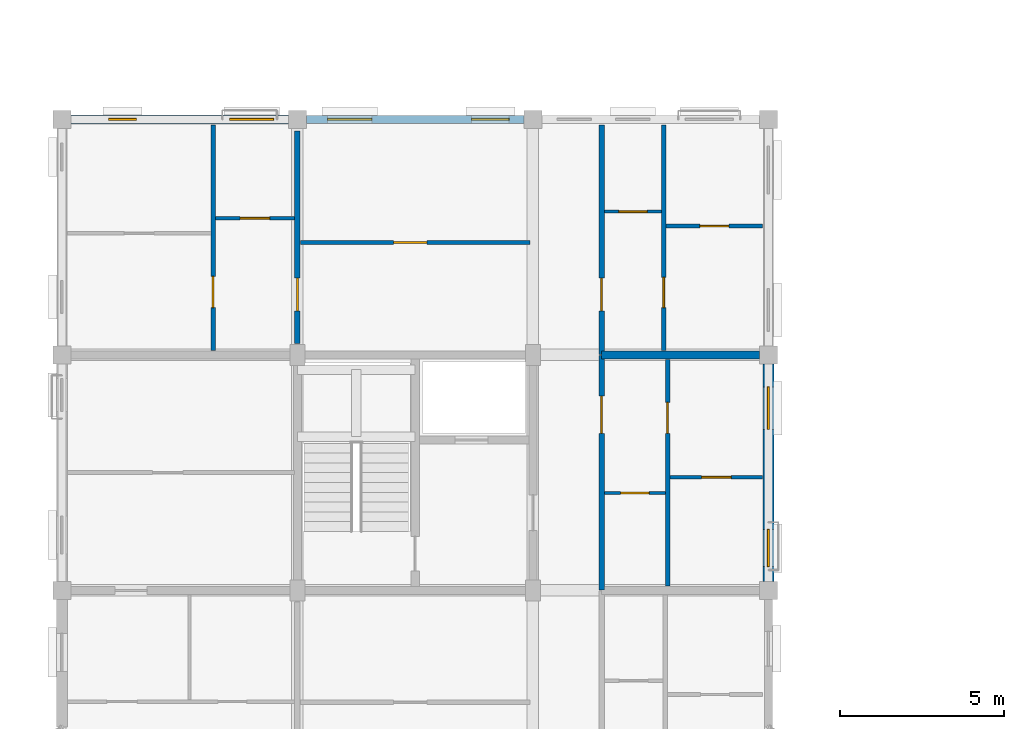
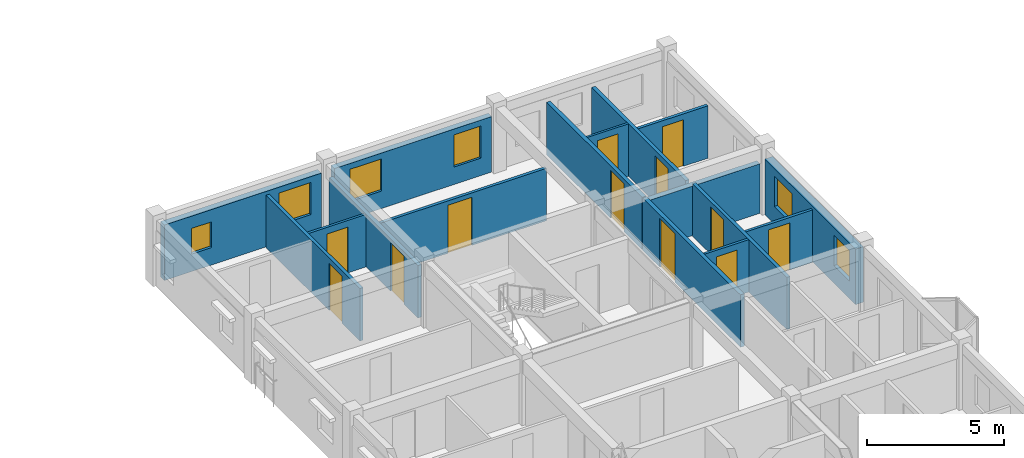
# One storey, part 58 of 79: 16 walls, 12 doors, 6 windows, 18 openings.
"""IFC4 building model written with IfcOpenShell, lengths in metres."""

from ifc_helpers import new_model, si_unit, direction, frame, frame_2d, origin, place, context, subcontext, project, spatial, rectangle, extrude, material, layer, layer_set, type_object, element, fill, save


model = new_model("IFC4")

# Units and contexts
model_context = context("Model", 3, precision=1e-05, world=origin(), true_north=direction((0.0, 1.0)))
body_context = subcontext(model_context, "Body", "Model", "MODEL_VIEW")
ifc_project = project(units=[si_unit("LENGTHUNIT", "METRE"), si_unit("AREAUNIT", "SQUARE_METRE"), si_unit("VOLUMEUNIT", "CUBIC_METRE"), si_unit("PLANEANGLEUNIT", "RADIAN"), si_unit("MASSUNIT", "GRAM", prefix="KILO"), si_unit("THERMODYNAMICTEMPERATUREUNIT", "KELVIN"), si_unit("POWERUNIT", "WATT")], contexts=[model_context])

# Site, building, storey
site_placement = place(None, origin())
site = spatial("IfcSite", under=ifc_project, at=site_placement, CompositionType="ELEMENT")
building_placement = place(site_placement, origin())
building = spatial("IfcBuilding", under=site, at=building_placement, Name="Tavuni Mirador Residences", CompositionType="ELEMENT")
storey_placement = place(building_placement, frame((0.0, 0.0, 13.949951171875)))
storey = spatial("IfcBuildingStorey", under=building, at=storey_placement, Name="L04", CompositionType="ELEMENT", Elevation=13.949951171875)

# Wall, opening, door
ifc_material_1 = material(Name="Precast concrete C40/50", Category="concrete")
ifc_layer_1 = layer(ifc_material_1, 0.1650390625, Name="Precast concrete C40/50", Category="concrete")
ifc_layer_set_1 = layer_set([ifc_layer_1], Name="Precast concrete C40/50")
wall_type_1 = type_object("IfcWallType", Name="WT-CORR165", PredefinedType="PARTITIONING", material=ifc_layer_set_1)
wall_1_placement = place(storey_placement, frame((20.10009765625, 86.419921875, 0.0), z_axis=(0.0, 0.0, 1.0), x_axis=(0.0, 1.0, 0.0)))
wall_1 = element("IfcWall", 1, at=wall_1_placement, inside=storey, type_object=wall_type_1, Name="CORW-BLK-B-L04-0-03", PredefinedType="PARTITIONING", context=body_context, shape_type="SweptSolid", body=[
    extrude(rectangle(XDim=7.16015625, YDim=0.1650390625, at=frame_2d((3.580078125, 0.0))), origin(), (0.0, 0.0, 1.0), 2.344970703125),
])
opening_1_placement = place(wall_1_placement, frame((4.780029296875, 0.0, 0.0)))
opening_1 = element("IfcOpeningElement", 2, at=opening_1_placement, cuts=wall_1, Name="Opening D-20", PredefinedType="OPENING", context=body_context, shape_type="SweptSolid", body=[
    extrude(rectangle(XDim=1.139892578125, YDim=2.179931640625, at=frame_2d((0.56982421875, 1.08984375))), frame((0.0, 0.092529296875, 0.0), z_axis=(0.0, -1.0, 0.0), x_axis=(1.0, 0.0, 0.0)), (0.0, 0.0, 1.0), 0.18505859375),
])
ifc_material_2 = material(Name="Solid core iroko timber", Category="wood")
door_type_1 = type_object("IfcDoorType", Name="DT-FD60-1140", OperationType="NOTDEFINED", PredefinedType="DOOR", material=ifc_material_2)
door_1_placement = place(opening_1_placement, origin())
door_1 = element("IfcDoor", 3, at=door_1_placement, inside=storey, type_object=door_type_1, Name="DR-2564", OperationType="SINGLE_SWING_LEFT", OverallHeight=2.179931640625, OverallWidth=1.139892578125, PredefinedType="DOOR", context=body_context, shape_type="SweptSolid", body=[
    extrude(rectangle(XDim=1.139892578125, YDim=2.179931640625, at=frame_2d((0.56982421875, 1.08984375))), frame((0.0, 0.02490234375, 0.0), z_axis=(0.0, -1.0, 0.0), x_axis=(1.0, 0.0, 0.0)), (0.0, 0.0, 1.0), 0.050048828125),
])
fill(opening_1, door_1)

wall_2_placement = place(storey_placement, frame((20.10009765625, 93.6201171875, 0.0), z_axis=(0.0, 0.0, 1.0), x_axis=(0.0, 1.0, 0.0)))
wall_2 = element("IfcWall", 4, at=wall_2_placement, inside=storey, type_object=wall_type_1, Name="CORW-BLK-B-L04-0-04", PredefinedType="PARTITIONING", context=body_context, shape_type="SweptSolid", body=[
    extrude(rectangle(XDim=7.0048828125, YDim=0.1650390625, at=frame_2d((3.50244140625, 0.0))), origin(), (0.0, 0.0, 1.0), 2.344970703125),
])
opening_2_placement = place(wall_2_placement, frame((1.330078125, 0.0, 0.0)))
opening_2 = element("IfcOpeningElement", 5, at=opening_2_placement, cuts=wall_2, Name="Opening D-03", PredefinedType="OPENING", context=body_context, shape_type="SweptSolid", body=[
    extrude(rectangle(XDim=1.0, YDim=2.14990234375, at=frame_2d((0.5, 1.074951171875))), frame((0.0, 0.092529296875, 0.0), z_axis=(0.0, -1.0, 0.0), x_axis=(1.0, 0.0, 0.0)), (0.0, 0.0, 1.0), 0.18505859375),
])
door_type_2 = type_object("IfcDoorType", Name="DT-FD60-1000", OperationType="NOTDEFINED", PredefinedType="DOOR", material=ifc_material_2)
door_2_placement = place(opening_2_placement, origin())
door_2 = element("IfcDoor", 6, at=door_2_placement, inside=storey, type_object=door_type_2, Name="DR-2565", OperationType="SINGLE_SWING_RIGHT", OverallHeight=2.14990234375, OverallWidth=1.0, PredefinedType="DOOR", context=body_context, shape_type="SweptSolid", body=[
    extrude(rectangle(XDim=1.0, YDim=2.14990234375, at=frame_2d((0.5, 1.074951171875))), frame((0.0, 0.02490234375, 0.0), z_axis=(0.0, -1.0, 0.0), x_axis=(1.0, 0.0, 0.0)), (0.0, 0.0, 1.0), 0.050048828125),
])
fill(opening_2, door_2)

wall_3_placement = place(storey_placement, frame((10.800048828125, 93.949951171875, 0.0), z_axis=(0.0, 0.0, 1.0), x_axis=(0.0, 1.0, 0.0)))
wall_3 = element("IfcWall", 7, at=wall_3_placement, inside=storey, type_object=wall_type_1, Name="CORW-BLK-B-L04-1-04", PredefinedType="PARTITIONING", context=body_context, shape_type="SweptSolid", body=[
    extrude(rectangle(XDim=6.5, YDim=0.1650390625, at=frame_2d((3.25, 0.0))), origin(), (0.0, 0.0, 1.0), 2.344970703125),
])
opening_3_placement = place(wall_3_placement, frame((1.0, 0.0, 0.0)))
opening_3 = element("IfcOpeningElement", 8, at=opening_3_placement, cuts=wall_3, Name="Opening D-03", PredefinedType="OPENING", context=body_context, shape_type="SweptSolid", body=[
    extrude(rectangle(XDim=1.0, YDim=2.14990234375, at=frame_2d((0.5, 1.074951171875))), frame((0.0, 0.092529296875, 0.0), z_axis=(0.0, -1.0, 0.0), x_axis=(1.0, 0.0, 0.0)), (0.0, 0.0, 1.0), 0.18505859375),
])
door_3_placement = place(opening_3_placement, origin())
door_3 = element("IfcDoor", 9, at=door_3_placement, inside=storey, type_object=door_type_2, Name="DR-2568", OperationType="SINGLE_SWING_LEFT", OverallHeight=2.14990234375, OverallWidth=1.0, PredefinedType="DOOR", context=body_context, shape_type="SweptSolid", body=[
    extrude(rectangle(XDim=1.0, YDim=2.14990234375, at=frame_2d((0.5, 1.074951171875))), frame((0.0, 0.02490234375, 0.0), z_axis=(0.0, -1.0, 0.0), x_axis=(1.0, 0.0, 0.0)), (0.0, 0.0, 1.0), 0.050048828125),
])
fill(opening_3, door_3)

# Wall, openings, windows
ifc_layer_2 = layer(ifc_material_1, 0.330078125, Name="Precast concrete C40/50", Category="concrete")
ifc_layer_set_2 = layer_set([ifc_layer_2], Name="Precast concrete C40/50")
wall_type_2 = type_object("IfcWallType", Name="WT-EXT-COR330", PredefinedType="SOLIDWALL", material=ifc_layer_set_2)
wall_4_placement = place(storey_placement, frame((25.199951171875, 86.675048828125, 0.0), z_axis=(0.0, 0.0, 1.0), x_axis=(0.0, 1.0, 0.0)))
wall_4 = element("IfcWall", 10, at=wall_4_placement, inside=storey, type_object=wall_type_2, Name="EW-BLK-B-L04-E03", PredefinedType="SOLIDWALL", context=body_context, shape_type="SweptSolid", body=[
    extrude(rectangle(XDim=6.64990234375, YDim=0.330078125, at=frame_2d((3.324951171875, 0.0))), origin(), (0.0, 0.0, 1.0), 2.47998046875),
])
opening_4_placement = place(wall_4_placement, frame((0.449951171875, 0.0, 0.780029296875)))
opening_4 = element("IfcOpeningElement", 11, at=opening_4_placement, cuts=wall_4, Name="Opening WN-20", PredefinedType="OPENING", context=body_context, shape_type="SweptSolid", body=[
    extrude(rectangle(XDim=1.139892578125, YDim=1.360107421875, at=frame_2d((0.56982421875, 0.68017578125))), frame((0.0, 0.175048828125, 0.0), z_axis=(0.0, -1.0, 0.0), x_axis=(1.0, 0.0, 0.0)), (0.0, 0.0, 1.0), 0.35009765625),
])
opening_5_placement = place(wall_4_placement, frame((4.64990234375, 0.0, 0.780029296875)))
opening_5 = element("IfcOpeningElement", 12, at=opening_5_placement, cuts=wall_4, Name="Opening WN-22", PredefinedType="OPENING", context=body_context, shape_type="SweptSolid", body=[
    extrude(rectangle(XDim=1.300048828125, YDim=1.360107421875, at=frame_2d((0.64990234375, 0.68017578125))), frame((0.0, 0.175048828125, 0.0), z_axis=(0.0, -1.0, 0.0), x_axis=(1.0, 0.0, 0.0)), (0.0, 0.0, 1.0), 0.35009765625),
])
ifc_material_3 = material(Name="Laminated solar-control glass", Category="glass")
window_type_1 = type_object("IfcWindowType", Name="WNT-20", PartitioningType="SINGLE_PANEL", PredefinedType="WINDOW", material=ifc_material_3)
window_1_placement = place(opening_4_placement, origin())
window_1 = element("IfcWindow", 13, at=window_1_placement, inside=storey, type_object=window_type_1, Name="WIN-0675", OverallHeight=1.360107421875, OverallWidth=1.139892578125, PartitioningType="SINGLE_PANEL", PredefinedType="WINDOW", context=body_context, shape_type="SweptSolid", body=[
    extrude(rectangle(XDim=1.139892578125, YDim=1.360107421875, at=frame_2d((0.56982421875, 0.68017578125))), frame((0.0, 0.030029296875, 0.0), z_axis=(0.0, -1.0, 0.0), x_axis=(1.0, 0.0, 0.0)), (0.0, 0.0, 1.0), 0.06005859375),
])
fill(opening_4, window_1)
window_type_2 = type_object("IfcWindowType", Name="WNT-22", PartitioningType="SINGLE_PANEL", PredefinedType="WINDOW", material=ifc_material_3)
window_2_placement = place(opening_5_placement, origin())
window_2 = element("IfcWindow", 14, at=window_2_placement, inside=storey, type_object=window_type_2, Name="WIN-0676", OverallHeight=1.360107421875, OverallWidth=1.300048828125, PartitioningType="SINGLE_PANEL", PredefinedType="WINDOW", context=body_context, shape_type="SweptSolid", body=[
    extrude(rectangle(XDim=1.300048828125, YDim=1.360107421875, at=frame_2d((0.64990234375, 0.68017578125))), frame((0.0, 0.030029296875, 0.0), z_axis=(0.0, -1.0, 0.0), x_axis=(1.0, 0.0, 0.0)), (0.0, 0.0, 1.0), 0.06005859375),
])
fill(opening_5, window_2)

ifc_material_4 = material(Name="Sgraffito lime-rendered precast concrete C40/50", Category="concrete")
ifc_layer_3 = layer(ifc_material_4, 0.2548828125, Name="Sgraffito lime-rendered precast concrete C40/50", Category="concrete")
ifc_layer_set_3 = layer_set([ifc_layer_3], Name="Sgraffito lime-rendered precast concrete C40/50")
wall_type_3 = type_object("IfcWallType", Name="WT-EXT-PC255", PredefinedType="SOLIDWALL", material=ifc_layer_set_3)
wall_5_placement = place(storey_placement, frame((17.72509765625, 100.800048828125, 0.0), z_axis=(0.0, 0.0, 1.0), x_axis=(-1.0, 0.0, 0.0)))
wall_5 = element("IfcWall", 15, at=wall_5_placement, inside=storey, type_object=wall_type_3, Name="EW-BLK-B-L04-N01", PredefinedType="SOLIDWALL", context=body_context, shape_type="SweptSolid", body=[
    extrude(rectangle(XDim=6.650146484375, YDim=0.2548828125, at=frame_2d((3.3251953125, 0.0))), origin(), (0.0, 0.0, 1.0), 2.47998046875),
])
opening_6_placement = place(wall_5_placement, frame((0.449951171875, 0.0, 0.780029296875)))
opening_6 = element("IfcOpeningElement", 16, at=opening_6_placement, cuts=wall_5, Name="Opening WN-27", PredefinedType="OPENING", context=body_context, shape_type="SweptSolid", body=[
    extrude(rectangle(XDim=1.14990234375, YDim=1.43994140625, at=frame_2d((0.574951171875, 0.719970703125))), frame((0.0, 0.137451171875, 0.0), z_axis=(0.0, -1.0, 0.0), x_axis=(1.0, 0.0, 0.0)), (0.0, 0.0, 1.0), 0.27490234375),
])
opening_7_placement = place(wall_5_placement, frame((4.64990234375, 0.0, 0.780029296875)))
opening_7 = element("IfcOpeningElement", 17, at=opening_7_placement, cuts=wall_5, Name="Opening WN-29", PredefinedType="OPENING", context=body_context, shape_type="SweptSolid", body=[
    extrude(rectangle(XDim=1.35009765625, YDim=1.43994140625, at=frame_2d((0.675048828125, 0.719970703125))), frame((0.0, 0.137451171875, 0.0), z_axis=(0.0, -1.0, 0.0), x_axis=(1.0, 0.0, 0.0)), (0.0, 0.0, 1.0), 0.27490234375),
])
window_type_3 = type_object("IfcWindowType", Name="WNT-27", PartitioningType="SINGLE_PANEL", PredefinedType="WINDOW", material=ifc_material_3)
window_3_placement = place(opening_6_placement, origin())
window_3 = element("IfcWindow", 18, at=window_3_placement, inside=storey, type_object=window_type_3, Name="WIN-0682", OverallHeight=1.43994140625, OverallWidth=1.14990234375, PartitioningType="SINGLE_PANEL", PredefinedType="WINDOW", context=body_context, shape_type="SweptSolid", body=[
    extrude(rectangle(XDim=1.14990234375, YDim=1.43994140625, at=frame_2d((0.574951171875, 0.719970703125))), frame((0.0, 0.030029296875, 0.0), z_axis=(0.0, -1.0, 0.0), x_axis=(1.0, 0.0, 0.0)), (0.0, 0.0, 1.0), 0.06005859375),
])
fill(opening_6, window_3)
window_type_4 = type_object("IfcWindowType", Name="WNT-29", PartitioningType="SINGLE_PANEL", PredefinedType="WINDOW", material=ifc_material_3)
window_4_placement = place(opening_7_placement, origin())
window_4 = element("IfcWindow", 19, at=window_4_placement, inside=storey, type_object=window_type_4, Name="WIN-0683", OverallHeight=1.43994140625, OverallWidth=1.35009765625, PartitioningType="SINGLE_PANEL", PredefinedType="WINDOW", context=body_context, shape_type="SweptSolid", body=[
    extrude(rectangle(XDim=1.35009765625, YDim=1.43994140625, at=frame_2d((0.675048828125, 0.719970703125))), frame((0.0, 0.030029296875, 0.0), z_axis=(0.0, -1.0, 0.0), x_axis=(1.0, 0.0, 0.0)), (0.0, 0.0, 1.0), 0.06005859375),
])
fill(opening_7, window_4)

ifc_layer_4 = layer(ifc_material_4, 0.27490234375, Name="Sgraffito lime-rendered precast concrete C40/50", Category="concrete")
ifc_layer_set_4 = layer_set([ifc_layer_4], Name="Sgraffito lime-rendered precast concrete C40/50")
wall_type_4 = type_object("IfcWallType", Name="WT-EXT-PC275", PredefinedType="SOLIDWALL", material=ifc_layer_set_4)
wall_6_placement = place(storey_placement, frame((10.52490234375, 100.800048828125, 0.0), z_axis=(0.0, 0.0, 1.0), x_axis=(-1.0, 0.0, 0.0)))
wall_6 = element("IfcWall", 20, at=wall_6_placement, inside=storey, type_object=wall_type_4, Name="EW-BLK-B-L04-N00", PredefinedType="SOLIDWALL", context=body_context, shape_type="SweptSolid", body=[
    extrude(rectangle(XDim=6.64990234375, YDim=0.27490234375, at=frame_2d((3.324951171875, 0.0))), origin(), (0.0, 0.0, 1.0), 2.47998046875),
])
opening_8_placement = place(wall_6_placement, frame((0.449951171875, 0.0, 0.780029296875)))
opening_8 = element("IfcOpeningElement", 21, at=opening_8_placement, cuts=wall_6, Name="Opening WN-29", PredefinedType="OPENING", context=body_context, shape_type="SweptSolid", body=[
    extrude(rectangle(XDim=1.35009765625, YDim=1.43994140625, at=frame_2d((0.675048828125, 0.719970703125))), frame((0.0, 0.1474609375, 0.0), z_axis=(0.0, -1.0, 0.0), x_axis=(1.0, 0.0, 0.0)), (0.0, 0.0, 1.0), 0.294921875),
])
opening_9_placement = place(wall_6_placement, frame((4.64990234375, 0.0, 0.780029296875)))
opening_9 = element("IfcOpeningElement", 22, at=opening_9_placement, cuts=wall_6, Name="Opening WN-01", PredefinedType="OPENING", context=body_context, shape_type="SweptSolid", body=[
    extrude(rectangle(XDim=0.85009765625, YDim=1.14990234375, at=frame_2d((0.425048828125, 0.574951171875))), frame((0.0, 0.1474609375, 0.0), z_axis=(0.0, -1.0, 0.0), x_axis=(1.0, 0.0, 0.0)), (0.0, 0.0, 1.0), 0.294921875),
])
window_type_5 = type_object("IfcWindowType", Name="WNT-01", PartitioningType="SINGLE_PANEL", PredefinedType="WINDOW", material=ifc_material_3)
window_5_placement = place(opening_9_placement, origin())
window_5 = element("IfcWindow", 23, at=window_5_placement, inside=storey, type_object=window_type_5, Name="WIN-0685", OverallHeight=1.14990234375, OverallWidth=0.85009765625, PartitioningType="SINGLE_PANEL", PredefinedType="WINDOW", context=body_context, shape_type="SweptSolid", body=[
    extrude(rectangle(XDim=0.85009765625, YDim=1.14990234375, at=frame_2d((0.425048828125, 0.574951171875))), frame((0.0, 0.030029296875, 0.0), z_axis=(0.0, -1.0, 0.0), x_axis=(1.0, 0.0, 0.0)), (0.0, 0.0, 1.0), 0.06005859375),
])
fill(opening_9, window_5)
window_6_placement = place(opening_8_placement, origin())
window_6 = element("IfcWindow", 24, at=window_6_placement, inside=storey, type_object=window_type_4, Name="WIN-0684", OverallHeight=1.43994140625, OverallWidth=1.35009765625, PartitioningType="SINGLE_PANEL", PredefinedType="WINDOW", context=body_context, shape_type="SweptSolid", body=[
    extrude(rectangle(XDim=1.35009765625, YDim=1.43994140625, at=frame_2d((0.675048828125, 0.719970703125))), frame((0.0, 0.030029296875, 0.0), z_axis=(0.0, -1.0, 0.0), x_axis=(1.0, 0.0, 0.0)), (0.0, 0.0, 1.0), 0.06005859375),
])
fill(opening_8, window_6)

# Wall, opening, door
ifc_material_5 = material(Name="Acoustic gypsum and concrete block partition", Category="concrete")
ifc_layer_5 = layer(ifc_material_5, 0.094970703125, Name="Acoustic gypsum and concrete block partition", Category="concrete")
ifc_layer_set_5 = layer_set([ifc_layer_5], Name="Acoustic gypsum and concrete block partition")
wall_type_5 = type_object("IfcWallType", Name="WT-PART095", PredefinedType="PARTITIONING", material=ifc_layer_set_5)
wall_7_placement = place(storey_placement, frame((20.18994140625, 97.97998046875, 0.0), z_axis=(0.0, 0.0, 1.0), x_axis=(1.0, 0.0, 0.0)))
wall_7 = element("IfcWall", 25, at=wall_7_placement, inside=storey, type_object=wall_type_5, Name="PW-BLK-B-L04-E04-IN1", PredefinedType="PARTITIONING", context=body_context, shape_type="SweptSolid", body=[
    extrude(rectangle(XDim=1.739990234375, YDim=0.094970703125, at=frame_2d((0.8701171875, 0.0))), origin(), (0.0, 0.0, 1.0), 2.344970703125),
])
opening_10_placement = place(wall_7_placement, frame((0.43505859375, 0.0, 0.0)))
opening_10 = element("IfcOpeningElement", 26, at=opening_10_placement, cuts=wall_7, Name="Opening D-10", PredefinedType="OPENING", context=body_context, shape_type="SweptSolid", body=[
    extrude(rectangle(XDim=0.8701171875, YDim=2.050048828125, at=frame_2d((0.43505859375, 1.02490234375))), frame((0.0, 0.0576171875, 0.0), z_axis=(0.0, -1.0, 0.0), x_axis=(1.0, 0.0, 0.0)), (0.0, 0.0, 1.0), 0.114990234375),
])
door_type_3 = type_object("IfcDoorType", Name="DT-WC870", OperationType="NOTDEFINED", PredefinedType="DOOR", material=ifc_material_2)
door_4_placement = place(opening_10_placement, origin())
door_4 = element("IfcDoor", 27, at=door_4_placement, inside=storey, type_object=door_type_3, Name="DR-3554", OperationType="SINGLE_SWING_LEFT", OverallHeight=2.050048828125, OverallWidth=0.8701171875, PredefinedType="DOOR", context=body_context, shape_type="SweptSolid", body=[
    extrude(rectangle(XDim=0.8701171875, YDim=2.050048828125, at=frame_2d((0.43505859375, 1.02490234375))), frame((0.0, 0.02490234375, 0.0), z_axis=(0.0, -1.0, 0.0), x_axis=(1.0, 0.0, 0.0)), (0.0, 0.0, 1.0), 0.050048828125),
])
fill(opening_10, door_4)

ifc_layer_6 = layer(ifc_material_5, 0.10498046875, Name="Acoustic gypsum and concrete block partition", Category="concrete")
ifc_layer_set_6 = layer_set([ifc_layer_6], Name="Acoustic gypsum and concrete block partition")
wall_type_6 = type_object("IfcWallType", Name="WT-PART105", PredefinedType="PARTITIONING", material=ifc_layer_set_6)
wall_8_placement = place(storey_placement, frame((20.18994140625, 89.3798828125, 0.0), z_axis=(0.0, 0.0, 1.0), x_axis=(1.0, 0.0, 0.0)))
wall_8 = element("IfcWall", 28, at=wall_8_placement, inside=storey, type_object=wall_type_6, Name="PW-BLK-B-L04-E03-IN1", PredefinedType="PARTITIONING", context=body_context, shape_type="SweptSolid", body=[
    extrude(rectangle(XDim=1.860107421875, YDim=0.10498046875, at=frame_2d((0.93017578125, 0.0))), origin(), (0.0, 0.0, 1.0), 2.344970703125),
])
opening_11_placement = place(wall_8_placement, frame((0.4951171875, 0.0, 0.0)))
opening_11 = element("IfcOpeningElement", 29, at=opening_11_placement, cuts=wall_8, Name="Opening D-10", PredefinedType="OPENING", context=body_context, shape_type="SweptSolid", body=[
    extrude(rectangle(XDim=0.8701171875, YDim=2.050048828125, at=frame_2d((0.43505859375, 1.02490234375))), frame((0.0, 0.0625, 0.0), z_axis=(0.0, -1.0, 0.0), x_axis=(1.0, 0.0, 0.0)), (0.0, 0.0, 1.0), 0.125),
])
door_5_placement = place(opening_11_placement, origin())
door_5 = element("IfcDoor", 30, at=door_5_placement, inside=storey, type_object=door_type_3, Name="DR-3547", OperationType="SINGLE_SWING_RIGHT", OverallHeight=2.050048828125, OverallWidth=0.8701171875, PredefinedType="DOOR", context=body_context, shape_type="SweptSolid", body=[
    extrude(rectangle(XDim=0.8701171875, YDim=2.050048828125, at=frame_2d((0.43505859375, 1.02490234375))), frame((0.0, 0.02490234375, 0.0), z_axis=(0.0, -1.0, 0.0), x_axis=(1.0, 0.0, 0.0)), (0.0, 0.0, 1.0), 0.050048828125),
])
fill(opening_11, door_5)

wall_9_placement = place(storey_placement, frame((8.2900390625, 97.780029296875, 0.0), z_axis=(0.0, 0.0, 1.0), x_axis=(1.0, 0.0, 0.0)))
wall_9 = element("IfcWall", 31, at=wall_9_placement, inside=storey, type_object=wall_type_6, Name="PW-BLK-B-L04-W04-IN1", PredefinedType="PARTITIONING", context=body_context, shape_type="SweptSolid", body=[
    extrude(rectangle(XDim=2.419921875, YDim=0.10498046875, at=frame_2d((1.2099609375, 0.0))), origin(), (0.0, 0.0, 1.0), 2.344970703125),
])
opening_12_placement = place(wall_9_placement, frame((0.760009765625, 0.0, 0.0)))
opening_12 = element("IfcOpeningElement", 32, at=opening_12_placement, cuts=wall_9, Name="Opening D-09", PredefinedType="OPENING", context=body_context, shape_type="SweptSolid", body=[
    extrude(rectangle(XDim=0.89990234375, YDim=2.050048828125, at=frame_2d((0.449951171875, 1.02490234375))), frame((0.0, 0.0625, 0.0), z_axis=(0.0, -1.0, 0.0), x_axis=(1.0, 0.0, 0.0)), (0.0, 0.0, 1.0), 0.125),
])
door_type_4 = type_object("IfcDoorType", Name="DT-WC900", OperationType="NOTDEFINED", PredefinedType="DOOR", material=ifc_material_2)
door_6_placement = place(opening_12_placement, origin())
door_6 = element("IfcDoor", 33, at=door_6_placement, inside=storey, type_object=door_type_4, Name="DR-3551", OperationType="SINGLE_SWING_RIGHT", OverallHeight=2.050048828125, OverallWidth=0.89990234375, PredefinedType="DOOR", context=body_context, shape_type="SweptSolid", body=[
    extrude(rectangle(XDim=0.89990234375, YDim=2.050048828125, at=frame_2d((0.449951171875, 1.02490234375))), frame((0.0, 0.02490234375, 0.0), z_axis=(0.0, -1.0, 0.0), x_axis=(1.0, 0.0, 0.0)), (0.0, 0.0, 1.0), 0.050048828125),
])
fill(opening_12, door_6)

ifc_layer_7 = layer(ifc_material_5, 0.114990234375, Name="Acoustic gypsum and concrete block partition", Category="concrete")
ifc_layer_set_7 = layer_set([ifc_layer_7], Name="Acoustic gypsum and concrete block partition")
wall_type_7 = type_object("IfcWallType", Name="WT-PART115", PredefinedType="PARTITIONING", material=ifc_layer_set_7)
wall_10_placement = place(storey_placement, frame((22.18994140625, 89.860107421875, 0.0), z_axis=(0.0, 0.0, 1.0), x_axis=(1.0, 0.0, 0.0)))
wall_10 = element("IfcWall", 34, at=wall_10_placement, inside=storey, type_object=wall_type_7, Name="PW-BLK-B-L04-E03-OUT", PredefinedType="PARTITIONING", context=body_context, shape_type="SweptSolid", body=[
    extrude(rectangle(XDim=2.8349609375, YDim=0.114990234375, at=frame_2d((1.41748046875, 0.0))), origin(), (0.0, 0.0, 1.0), 2.344970703125),
])
opening_13_placement = place(wall_10_placement, frame((0.967529296875, 0.0, 0.0)))
opening_13 = element("IfcOpeningElement", 35, at=opening_13_placement, cuts=wall_10, Name="Opening D-07", PredefinedType="OPENING", context=body_context, shape_type="SweptSolid", body=[
    extrude(rectangle(XDim=0.89990234375, YDim=2.10009765625, at=frame_2d((0.449951171875, 1.050048828125))), frame((0.0, 0.0673828125, 0.0), z_axis=(0.0, -1.0, 0.0), x_axis=(1.0, 0.0, 0.0)), (0.0, 0.0, 1.0), 0.135009765625),
])
door_type_5 = type_object("IfcDoorType", Name="DT-BED900", OperationType="NOTDEFINED", PredefinedType="DOOR", material=ifc_material_2)
door_7_placement = place(opening_13_placement, origin())
door_7 = element("IfcDoor", 36, at=door_7_placement, inside=storey, type_object=door_type_5, Name="DR-3546", OperationType="SINGLE_SWING_LEFT", OverallHeight=2.10009765625, OverallWidth=0.89990234375, PredefinedType="DOOR", context=body_context, shape_type="SweptSolid", body=[
    extrude(rectangle(XDim=0.89990234375, YDim=2.10009765625, at=frame_2d((0.449951171875, 1.050048828125))), frame((0.0, 0.02490234375, 0.0), z_axis=(0.0, -1.0, 0.0), x_axis=(1.0, 0.0, 0.0)), (0.0, 0.0, 1.0), 0.050048828125),
])
fill(opening_13, door_7)

ifc_layer_8 = layer(ifc_material_5, 0.125, Name="Acoustic gypsum and concrete block partition", Category="concrete")
ifc_layer_set_8 = layer_set([ifc_layer_8], Name="Acoustic gypsum and concrete block partition")
wall_type_8 = type_object("IfcWallType", Name="WT-PART125", PredefinedType="PARTITIONING", material=ifc_layer_set_8)
wall_11_placement = place(storey_placement, frame((10.889892578125, 97.0400390625, 0.0), z_axis=(0.0, 0.0, 1.0), x_axis=(1.0, 0.0, 0.0)))
wall_11 = element("IfcWall", 37, at=wall_11_placement, inside=storey, type_object=wall_type_8, Name="PW-SPN-BLK-B-L04-04", PredefinedType="PARTITIONING", context=body_context, shape_type="SweptSolid", body=[
    extrude(rectangle(XDim=7.02001953125, YDim=0.125, at=frame_2d((3.510009765625, 0.0))), origin(), (0.0, 0.0, 1.0), 2.344970703125),
])
opening_14_placement = place(wall_11_placement, frame((2.85009765625, 0.0, 0.0)))
opening_14 = element("IfcOpeningElement", 38, at=opening_14_placement, cuts=wall_11, Name="Opening D-13", PredefinedType="OPENING", context=body_context, shape_type="SweptSolid", body=[
    extrude(rectangle(XDim=1.02001953125, YDim=2.14990234375, at=frame_2d((0.510009765625, 1.074951171875))), frame((0.0, 0.072509765625, 0.0), z_axis=(0.0, -1.0, 0.0), x_axis=(1.0, 0.0, 0.0)), (0.0, 0.0, 1.0), 0.14501953125),
])
door_type_6 = type_object("IfcDoorType", Name="DT-MTG1020", OperationType="NOTDEFINED", PredefinedType="DOOR", material=ifc_material_2)
door_8_placement = place(opening_14_placement, origin())
door_8 = element("IfcDoor", 39, at=door_8_placement, inside=storey, type_object=door_type_6, Name="DR-3549", OperationType="SINGLE_SWING_LEFT", OverallHeight=2.14990234375, OverallWidth=1.02001953125, PredefinedType="DOOR", context=body_context, shape_type="SweptSolid", body=[
    extrude(rectangle(XDim=1.02001953125, YDim=2.14990234375, at=frame_2d((0.510009765625, 1.074951171875))), frame((0.0, 0.02490234375, 0.0), z_axis=(0.0, -1.0, 0.0), x_axis=(1.0, 0.0, 0.0)), (0.0, 0.0, 1.0), 0.050048828125),
])
fill(opening_14, door_8)

wall_12_placement = place(storey_placement, frame((22.070068359375, 97.5400390625, 0.0), z_axis=(0.0, 0.0, 1.0), x_axis=(1.0, 0.0, 0.0)))
wall_12 = element("IfcWall", 40, at=wall_12_placement, inside=storey, type_object=wall_type_8, Name="PW-BLK-B-L04-E04-OUT", PredefinedType="PARTITIONING", context=body_context, shape_type="SweptSolid", body=[
    extrude(rectangle(XDim=2.954833984375, YDim=0.125, at=frame_2d((1.4775390625, 0.0))), origin(), (0.0, 0.0, 1.0), 2.344970703125),
])
opening_15_placement = place(wall_12_placement, frame((1.03759765625, 0.0, 0.0)))
opening_15 = element("IfcOpeningElement", 41, at=opening_15_placement, cuts=wall_12, Name="Opening D-08", PredefinedType="OPENING", context=body_context, shape_type="SweptSolid", body=[
    extrude(rectangle(XDim=0.8798828125, YDim=2.080078125, at=frame_2d((0.43994140625, 1.0400390625))), frame((0.0, 0.072509765625, 0.0), z_axis=(0.0, -1.0, 0.0), x_axis=(1.0, 0.0, 0.0)), (0.0, 0.0, 1.0), 0.14501953125),
])
door_type_7 = type_object("IfcDoorType", Name="DT-BED880", OperationType="NOTDEFINED", PredefinedType="DOOR", material=ifc_material_2)
door_9_placement = place(opening_15_placement, origin())
door_9 = element("IfcDoor", 42, at=door_9_placement, inside=storey, type_object=door_type_7, Name="DR-3553", OperationType="SINGLE_SWING_RIGHT", OverallHeight=2.080078125, OverallWidth=0.8798828125, PredefinedType="DOOR", context=body_context, shape_type="SweptSolid", body=[
    extrude(rectangle(XDim=0.8798828125, YDim=2.080078125, at=frame_2d((0.43994140625, 1.0400390625))), frame((0.0, 0.02490234375, 0.0), z_axis=(0.0, -1.0, 0.0), x_axis=(1.0, 0.0, 0.0)), (0.0, 0.0, 1.0), 0.050048828125),
])
fill(opening_15, door_9)

ifc_layer_9 = layer(ifc_material_5, 0.139892578125, Name="Acoustic gypsum and concrete block partition", Category="concrete")
ifc_layer_set_9 = layer_set([ifc_layer_9], Name="Acoustic gypsum and concrete block partition")
wall_type_9 = type_object("IfcWallType", Name="WT-PART140", PredefinedType="PARTITIONING", material=ifc_layer_set_9)
wall_13_placement = place(storey_placement, frame((22.1201171875, 86.5400390625, 0.0), z_axis=(0.0, 0.0, 1.0), x_axis=(0.0, 1.0, 0.0)))
wall_13 = element("IfcWall", 43, at=wall_13_placement, inside=storey, type_object=wall_type_9, Name="PW-BLK-B-L04-E03-MID", PredefinedType="PARTITIONING", context=body_context, shape_type="SweptSolid", body=[
    extrude(rectangle(XDim=6.919921875, YDim=0.139892578125, at=frame_2d((3.4599609375, 0.0))), origin(), (0.0, 0.0, 1.0), 2.344970703125),
])
opening_16_placement = place(wall_13_placement, frame((4.659912109375, 0.0, 0.0)))
opening_16 = element("IfcOpeningElement", 44, at=opening_16_placement, cuts=wall_13, Name="Opening D-05", PredefinedType="OPENING", context=body_context, shape_type="SweptSolid", body=[
    extrude(rectangle(XDim=0.949951171875, YDim=2.10009765625, at=frame_2d((0.47509765625, 1.050048828125))), frame((0.0, 0.080078125, 0.0), z_axis=(0.0, -1.0, 0.0), x_axis=(1.0, 0.0, 0.0)), (0.0, 0.0, 1.0), 0.159912109375),
])
door_type_8 = type_object("IfcDoorType", Name="DT-INT950", OperationType="NOTDEFINED", PredefinedType="DOOR", material=ifc_material_2)
door_10_placement = place(opening_16_placement, origin())
door_10 = element("IfcDoor", 45, at=door_10_placement, inside=storey, type_object=door_type_8, Name="DR-3548", OperationType="SINGLE_SWING_LEFT", OverallHeight=2.10009765625, OverallWidth=0.949951171875, PredefinedType="DOOR", context=body_context, shape_type="SweptSolid", body=[
    extrude(rectangle(XDim=0.949951171875, YDim=2.10009765625, at=frame_2d((0.47509765625, 1.050048828125))), frame((0.0, 0.02490234375, 0.0), z_axis=(0.0, -1.0, 0.0), x_axis=(1.0, 0.0, 0.0)), (0.0, 0.0, 1.0), 0.050048828125),
])
fill(opening_16, door_10)

wall_14_placement = place(storey_placement, frame((8.219970703125, 93.739990234375, 0.0), z_axis=(0.0, 0.0, 1.0), x_axis=(0.0, 1.0, 0.0)))
wall_14 = element("IfcWall", 46, at=wall_14_placement, inside=storey, type_object=wall_type_9, Name="PW-BLK-B-L04-W04-MID", PredefinedType="PARTITIONING", context=body_context, shape_type="SweptSolid", body=[
    extrude(rectangle(XDim=6.885009765625, YDim=0.139892578125, at=frame_2d((3.4423828125, 0.0))), origin(), (0.0, 0.0, 1.0), 2.344970703125),
])
opening_17_placement = place(wall_14_placement, frame((1.31005859375, 0.0, 0.0)))
opening_17 = element("IfcOpeningElement", 47, at=opening_17_placement, cuts=wall_14, Name="Opening D-05", PredefinedType="OPENING", context=body_context, shape_type="SweptSolid", body=[
    extrude(rectangle(XDim=0.949951171875, YDim=2.10009765625, at=frame_2d((0.47509765625, 1.050048828125))), frame((0.0, 0.080078125, 0.0), z_axis=(0.0, -1.0, 0.0), x_axis=(1.0, 0.0, 0.0)), (0.0, 0.0, 1.0), 0.159912109375),
])
door_11_placement = place(opening_17_placement, origin())
door_11 = element("IfcDoor", 48, at=door_11_placement, inside=storey, type_object=door_type_8, Name="DR-3552", OperationType="SINGLE_SWING_LEFT", OverallHeight=2.10009765625, OverallWidth=0.949951171875, PredefinedType="DOOR", context=body_context, shape_type="SweptSolid", body=[
    extrude(rectangle(XDim=0.949951171875, YDim=2.10009765625, at=frame_2d((0.47509765625, 1.050048828125))), frame((0.0, 0.02490234375, 0.0), z_axis=(0.0, -1.0, 0.0), x_axis=(1.0, 0.0, 0.0)), (0.0, 0.0, 1.0), 0.050048828125),
])
fill(opening_17, door_11)

ifc_layer_10 = layer(ifc_material_5, 0.14990234375, Name="Acoustic gypsum and concrete block partition", Category="concrete")
ifc_layer_set_10 = layer_set([ifc_layer_10], Name="Acoustic gypsum and concrete block partition")
wall_type_10 = type_object("IfcWallType", Name="WT-PART150", PredefinedType="PARTITIONING", material=ifc_layer_set_10)
wall_15_placement = place(storey_placement, frame((22.0, 93.739990234375, 0.0), z_axis=(0.0, 0.0, 1.0), x_axis=(0.0, 1.0, 0.0)))
wall_15 = element("IfcWall", 49, at=wall_15_placement, inside=storey, type_object=wall_type_10, Name="PW-BLK-B-L04-E04-MID", PredefinedType="PARTITIONING", context=body_context, shape_type="SweptSolid", body=[
    extrude(rectangle(XDim=6.885009765625, YDim=0.14990234375, at=frame_2d((3.4423828125, 0.0))), origin(), (0.0, 0.0, 1.0), 2.344970703125),
])
opening_18_placement = place(wall_15_placement, frame((1.31005859375, 0.0, 0.0)))
opening_18 = element("IfcOpeningElement", 50, at=opening_18_placement, cuts=wall_15, Name="Opening D-06", PredefinedType="OPENING", context=body_context, shape_type="SweptSolid", body=[
    extrude(rectangle(XDim=0.919921875, YDim=2.10009765625, at=frame_2d((0.4599609375, 1.050048828125))), frame((0.0, 0.0849609375, 0.0), z_axis=(0.0, -1.0, 0.0), x_axis=(1.0, 0.0, 0.0)), (0.0, 0.0, 1.0), 0.169921875),
])
door_type_9 = type_object("IfcDoorType", Name="DT-INT920", OperationType="NOTDEFINED", PredefinedType="DOOR", material=ifc_material_2)
door_12_placement = place(opening_18_placement, origin())
door_12 = element("IfcDoor", 51, at=door_12_placement, inside=storey, type_object=door_type_9, Name="DR-3555", OperationType="SINGLE_SWING_RIGHT", OverallHeight=2.10009765625, OverallWidth=0.919921875, PredefinedType="DOOR", context=body_context, shape_type="SweptSolid", body=[
    extrude(rectangle(XDim=0.919921875, YDim=2.10009765625, at=frame_2d((0.4599609375, 1.050048828125))), frame((0.0, 0.02490234375, 0.0), z_axis=(0.0, -1.0, 0.0), x_axis=(1.0, 0.0, 0.0)), (0.0, 0.0, 1.0), 0.050048828125),
])
fill(opening_18, door_12)

# Wall
ifc_layer_11 = layer(ifc_material_1, 0.235107421875, Name="Precast concrete C40/50", Category="concrete")
ifc_layer_set_11 = layer_set([ifc_layer_11], Name="Precast concrete C40/50")
wall_type_11 = type_object("IfcWallType", Name="WT-XW235", PredefinedType="SOLIDWALL", material=ifc_layer_set_11)
wall_16_placement = place(storey_placement, frame((20.10009765625, 93.60009765625, 0.0), z_axis=(0.0, 0.0, 1.0), x_axis=(1.0, 0.0, 0.0)))
element("IfcWall", 52, at=wall_16_placement, inside=storey, type_object=wall_type_11, Name="XW-BLK-B-L04-E-04", PredefinedType="SOLIDWALL", context=body_context, shape_type="SweptSolid", body=[
    extrude(rectangle(XDim=4.824951171875, YDim=0.235107421875, at=frame_2d((2.41259765625, 0.0))), origin(), (0.0, 0.0, 1.0), 2.2099609375),
])

save(model, "model.ifc")
